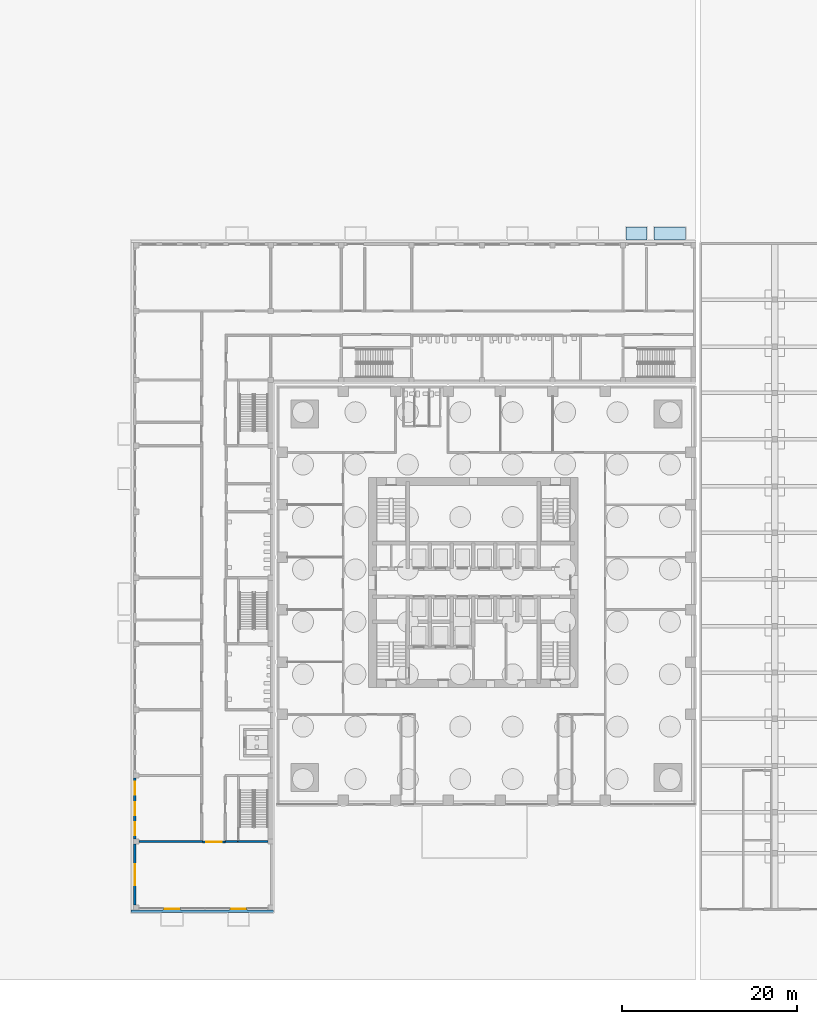
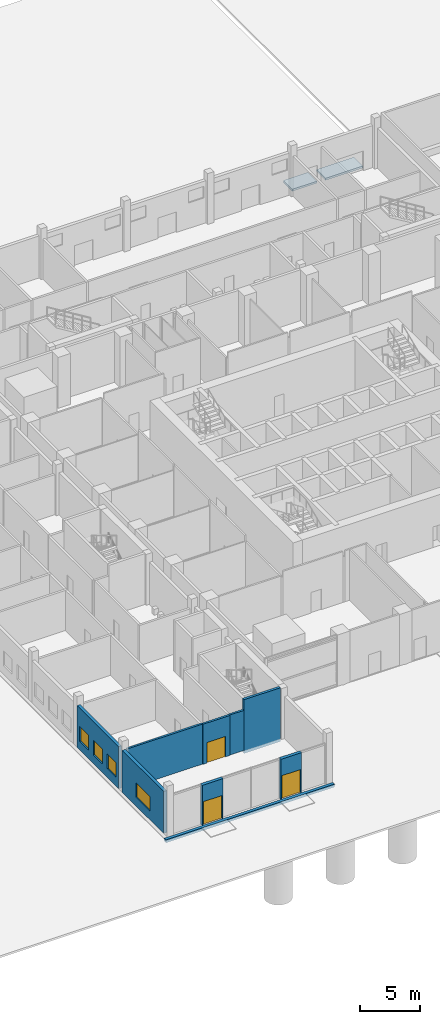
# One storey, part 9 of 33: 9 walls, 4 windows, 3 doors, 2 slabs, 7 openings.
"""IFC4 building model written with IfcOpenShell, lengths in metres."""

from ifc_helpers import new_model, si_unit, direction, frame, frame_2d, origin, place, context, subcontext, project, spatial, polyline, rectangle, outline, extrude, material, layer, layer_set, type_object, element, fill, save


model = new_model("IFC4")

# Units and contexts
model_context = context("Model", 3, precision=1e-05, world=origin(), true_north=direction((0.0, 1.0)))
body_context = subcontext(model_context, "Body", "Model", "MODEL_VIEW")
ifc_project = project(units=[si_unit("LENGTHUNIT", "METRE"), si_unit("AREAUNIT", "SQUARE_METRE"), si_unit("VOLUMEUNIT", "CUBIC_METRE"), si_unit("PLANEANGLEUNIT", "RADIAN"), si_unit("MASSUNIT", "GRAM", prefix="KILO")], contexts=[model_context])

# Site, building, storey
site_placement = place(None, origin())
site = spatial("IfcSite", under=ifc_project, at=site_placement, CompositionType="ELEMENT")
building_placement = place(site_placement, origin())
building = spatial("IfcBuilding", under=site, at=building_placement, Name="Amberfall Residences", CompositionType="ELEMENT")
storey_placement = place(building_placement, origin())
storey = spatial("IfcBuildingStorey", under=building, at=storey_placement, Name="L00", CompositionType="ELEMENT", Elevation=0.0)

# Slabs
ifc_material_1 = material(Name="Concrete C30", Category="concrete")
ifc_layer_1 = layer(ifc_material_1, 0.199951171875)
ifc_layer_set_1 = layer_set([ifc_layer_1], Name="School door landing 200")
slab_type = type_object("IfcSlabType", Name="School door landing 200", PredefinedType="BASESLAB", material=ifc_layer_set_1)
slab_1_placement = place(storey_placement, frame((0.0, 0.0, -0.199951171875)))
element("IfcSlab", 1, at=slab_1_placement, inside=storey, type_object=slab_type, Name="School door landing", PredefinedType="BASESLAB", context=body_context, shape_type="SweptSolid", body=[
    extrude(outline(polyline([(91.98291015625, 84.699951171875), (94.383056640625, 84.699951171875), (94.383056640625, 86.199951171875), (91.98291015625, 86.199951171875), (91.98291015625, 84.699951171875)])), origin(), (0.0, 0.0, 1.0), 0.199951171875),
])
slab_2_placement = place(storey_placement, frame((0.0, 0.0, -0.199951171875)))
element("IfcSlab", 2, at=slab_2_placement, inside=storey, type_object=slab_type, Name="School door landing", PredefinedType="BASESLAB", context=body_context, shape_type="SweptSolid", body=[
    extrude(outline(polyline([(95.199951171875, 84.699951171875), (98.800048828125, 84.699951171875), (98.800048828125, 86.199951171875), (95.199951171875, 86.199951171875), (95.199951171875, 84.699951171875)])), origin(), (0.0, 0.0, 1.0), 0.199951171875),
])

# Wall, opening, window
ifc_material_2 = material(Name="Aerated block wall")
ifc_layer_2 = layer(ifc_material_2, 0.300048828125)
ifc_layer_set_2 = layer_set([ifc_layer_2], Name="School external wall 300")
wall_type_1 = type_object("IfcWallType", Name="School external wall 300", PredefinedType="SOLIDWALL", material=ifc_layer_set_2)
wall_1_placement = place(storey_placement, frame((35.75, 8.60009765625, 0.0), z_axis=(0.0, 0.0, 1.0), x_axis=(0.0, 1.0, 0.0)))
wall_1 = element("IfcWall", 3, at=wall_1_placement, inside=storey, type_object=wall_type_1, Name="School external wall L00 EW0", PredefinedType="SOLIDWALL", context=body_context, shape_type="SweptSolid", body=[
    extrude(rectangle(XDim=6.949951171875, YDim=0.300048828125, at=frame_2d((3.47509765625, 0.0))), origin(), (0.0, 0.0, 1.0), 4.300048828125),
])
opening_1_placement = place(wall_1_placement, frame((2.27490234375, 0.0, 0.89990234375)))
opening_1 = element("IfcOpeningElement", 4, at=opening_1_placement, cuts=wall_1, Name="Opening SWN2", PredefinedType="OPENING", context=body_context, shape_type="SweptSolid", body=[
    extrude(rectangle(XDim=2.39990234375, YDim=1.5, at=frame_2d((1.199951171875, 0.75))), frame((0.0, 0.159912109375, 0.0), z_axis=(0.0, -1.0, 0.0), x_axis=(1.0, 0.0, 0.0)), (0.0, 0.0, 1.0), 0.320068359375),
])
ifc_material_3 = material(Name="Aluminium window", Category="aluminium")
window_type_1 = type_object("IfcWindowType", Name="School window 2400 x 1500", PartitioningType="TRIPLE_PANEL_VERTICAL", PredefinedType="WINDOW", material=ifc_material_3)
window_1_placement = place(opening_1_placement, origin())
window_1 = element("IfcWindow", 5, at=window_1_placement, inside=storey, type_object=window_type_1, Name="School window L00 EW0-1", OverallHeight=1.5, OverallWidth=2.39990234375, PartitioningType="TRIPLE_PANEL_VERTICAL", PredefinedType="WINDOW", context=body_context, shape_type="SweptSolid", body=[
    extrude(rectangle(XDim=2.39990234375, YDim=1.5, at=frame_2d((1.199951171875, 0.75))), frame((0.0, 0.030029296875, 0.0), z_axis=(0.0, -1.0, 0.0), x_axis=(1.0, 0.0, 0.0)), (0.0, 0.0, 1.0), 0.06005859375),
])
fill(opening_1, window_1)

# Wall, openings, windows
wall_2_placement = place(storey_placement, frame((35.75, 16.14990234375, 0.0), z_axis=(0.0, 0.0, 1.0), x_axis=(0.0, 1.0, 0.0)))
wall_2 = element("IfcWall", 6, at=wall_2_placement, inside=storey, type_object=wall_type_1, Name="School external wall L00 EW1", PredefinedType="SOLIDWALL", context=body_context, shape_type="SweptSolid", body=[
    extrude(rectangle(XDim=6.9501953125, YDim=0.300048828125, at=frame_2d((3.47509765625, 0.0))), origin(), (0.0, 0.0, 1.0), 4.300048828125),
])
opening_2_placement = place(wall_2_placement, frame((0.408203125, 0.0, 0.89990234375)))
opening_2 = element("IfcOpeningElement", 7, at=opening_2_placement, cuts=wall_2, Name="Opening SWN1", PredefinedType="OPENING", context=body_context, shape_type="SweptSolid", body=[
    extrude(rectangle(XDim=1.5, YDim=1.5, at=frame_2d((0.75, 0.75))), frame((0.0, 0.159912109375, 0.0), z_axis=(0.0, -1.0, 0.0), x_axis=(1.0, 0.0, 0.0)), (0.0, 0.0, 1.0), 0.320068359375),
])
opening_3_placement = place(wall_2_placement, frame((2.72509765625, 0.0, 0.89990234375)))
opening_3 = element("IfcOpeningElement", 8, at=opening_3_placement, cuts=wall_2, Name="Opening SWN1", PredefinedType="OPENING", context=body_context, shape_type="SweptSolid", body=[
    extrude(rectangle(XDim=1.5, YDim=1.5, at=frame_2d((0.75, 0.75))), frame((0.0, 0.159912109375, 0.0), z_axis=(0.0, -1.0, 0.0), x_axis=(1.0, 0.0, 0.0)), (0.0, 0.0, 1.0), 0.320068359375),
])
opening_4_placement = place(wall_2_placement, frame((5.041748046875, 0.0, 0.89990234375)))
opening_4 = element("IfcOpeningElement", 9, at=opening_4_placement, cuts=wall_2, Name="Opening SWN1", PredefinedType="OPENING", context=body_context, shape_type="SweptSolid", body=[
    extrude(rectangle(XDim=1.5, YDim=1.5, at=frame_2d((0.75, 0.75))), frame((0.0, 0.159912109375, 0.0), z_axis=(0.0, -1.0, 0.0), x_axis=(1.0, 0.0, 0.0)), (0.0, 0.0, 1.0), 0.320068359375),
])
window_type_2 = type_object("IfcWindowType", Name="School window 1500 x 1500", PartitioningType="DOUBLE_PANEL_HORIZONTAL", PredefinedType="WINDOW", material=ifc_material_3)
window_2_placement = place(opening_2_placement, origin())
window_2 = element("IfcWindow", 10, at=window_2_placement, inside=storey, type_object=window_type_2, Name="School window L00 EW1-1", OverallHeight=1.5, OverallWidth=1.5, PartitioningType="DOUBLE_PANEL_HORIZONTAL", PredefinedType="WINDOW", context=body_context, shape_type="SweptSolid", body=[
    extrude(rectangle(XDim=1.5, YDim=1.5, at=frame_2d((0.75, 0.75))), frame((0.0, 0.030029296875, 0.0), z_axis=(0.0, -1.0, 0.0), x_axis=(1.0, 0.0, 0.0)), (0.0, 0.0, 1.0), 0.06005859375),
])
fill(opening_2, window_2)
window_3_placement = place(opening_3_placement, origin())
window_3 = element("IfcWindow", 11, at=window_3_placement, inside=storey, type_object=window_type_2, Name="School window L00 EW1-2", OverallHeight=1.5, OverallWidth=1.5, PartitioningType="DOUBLE_PANEL_HORIZONTAL", PredefinedType="WINDOW", context=body_context, shape_type="SweptSolid", body=[
    extrude(rectangle(XDim=1.5, YDim=1.5, at=frame_2d((0.75, 0.75))), frame((0.0, 0.030029296875, 0.0), z_axis=(0.0, -1.0, 0.0), x_axis=(1.0, 0.0, 0.0)), (0.0, 0.0, 1.0), 0.06005859375),
])
fill(opening_3, window_3)
window_4_placement = place(opening_4_placement, origin())
window_4 = element("IfcWindow", 12, at=window_4_placement, inside=storey, type_object=window_type_2, Name="School window L00 EW1-3", OverallHeight=1.5, OverallWidth=1.5, PartitioningType="DOUBLE_PANEL_HORIZONTAL", PredefinedType="WINDOW", context=body_context, shape_type="SweptSolid", body=[
    extrude(rectangle(XDim=1.5, YDim=1.5, at=frame_2d((0.75, 0.75))), frame((0.0, 0.030029296875, 0.0), z_axis=(0.0, -1.0, 0.0), x_axis=(1.0, 0.0, 0.0)), (0.0, 0.0, 1.0), 0.06005859375),
])
fill(opening_4, window_4)

# Wall, opening, door
wall_3_placement = place(storey_placement, frame((39.0, 8.14990234375, 0.0), z_axis=(0.0, 0.0, 1.0), x_axis=(1.0, 0.0, 0.0)))
wall_3 = element("IfcWall", 13, at=wall_3_placement, inside=storey, type_object=wall_type_1, Name="School entrance frame wall 1", PredefinedType="SOLIDWALL", context=body_context, shape_type="SweptSolid", body=[
    extrude(rectangle(XDim=2.0, YDim=0.300048828125, at=frame_2d((1.0, 0.0))), origin(), (0.0, 0.0, 1.0), 4.10009765625),
])
opening_5_placement = place(wall_3_placement, frame((0.10009765625, 0.0, 0.0)))
opening_5 = element("IfcOpeningElement", 14, at=opening_5_placement, cuts=wall_3, Name="Opening SD7", PredefinedType="OPENING", context=body_context, shape_type="SweptSolid", body=[
    extrude(rectangle(XDim=1.800048828125, YDim=2.39990234375, at=frame_2d((0.89990234375, 1.199951171875))), frame((0.0, 0.159912109375, 0.0), z_axis=(0.0, -1.0, 0.0), x_axis=(1.0, 0.0, 0.0)), (0.0, 0.0, 1.0), 0.320068359375),
])
ifc_material_4 = material(Name="Aluminium glazed door", Category="aluminium")
door_type_1 = type_object("IfcDoorType", Name="School entrance double door 1800 x 2400", OperationType="DOUBLE_DOOR_SINGLE_SWING", PredefinedType="DOOR", material=ifc_material_4)
door_1_placement = place(opening_5_placement, origin())
door_1 = element("IfcDoor", 15, at=door_1_placement, inside=storey, type_object=door_type_1, Name="School entrance door 1", OperationType="DOUBLE_DOOR_SINGLE_SWING", OverallHeight=2.39990234375, OverallWidth=1.800048828125, PredefinedType="DOOR", context=body_context, shape_type="SweptSolid", body=[
    extrude(rectangle(XDim=1.800048828125, YDim=2.39990234375, at=frame_2d((0.89990234375, 1.199951171875))), frame((0.0, 0.02490234375, 0.0), z_axis=(0.0, -1.0, 0.0), x_axis=(1.0, 0.0, 0.0)), (0.0, 0.0, 1.0), 0.050048828125),
])
fill(opening_5, door_1)

wall_4_placement = place(storey_placement, frame((46.60009765625, 8.14990234375, 0.0), z_axis=(0.0, 0.0, 1.0), x_axis=(1.0, 0.0, 0.0)))
wall_4 = element("IfcWall", 16, at=wall_4_placement, inside=storey, type_object=wall_type_1, Name="School entrance frame wall 2", PredefinedType="SOLIDWALL", context=body_context, shape_type="SweptSolid", body=[
    extrude(rectangle(XDim=2.0, YDim=0.300048828125, at=frame_2d((1.0, 0.0))), origin(), (0.0, 0.0, 1.0), 4.10009765625),
])
opening_6_placement = place(wall_4_placement, frame((0.10009765625, 0.0, 0.0)))
opening_6 = element("IfcOpeningElement", 17, at=opening_6_placement, cuts=wall_4, Name="Opening SD7", PredefinedType="OPENING", context=body_context, shape_type="SweptSolid", body=[
    extrude(rectangle(XDim=1.800048828125, YDim=2.39990234375, at=frame_2d((0.89990234375, 1.199951171875))), frame((0.0, 0.159912109375, 0.0), z_axis=(0.0, -1.0, 0.0), x_axis=(1.0, 0.0, 0.0)), (0.0, 0.0, 1.0), 0.320068359375),
])
door_2_placement = place(opening_6_placement, origin())
door_2 = element("IfcDoor", 18, at=door_2_placement, inside=storey, type_object=door_type_1, Name="School entrance door 2", OperationType="DOUBLE_DOOR_SINGLE_SWING", OverallHeight=2.39990234375, OverallWidth=1.800048828125, PredefinedType="DOOR", context=body_context, shape_type="SweptSolid", body=[
    extrude(rectangle(XDim=1.800048828125, YDim=2.39990234375, at=frame_2d((0.89990234375, 1.199951171875))), frame((0.0, 0.02490234375, 0.0), z_axis=(0.0, -1.0, 0.0), x_axis=(1.0, 0.0, 0.0)), (0.0, 0.0, 1.0), 0.050048828125),
])
fill(opening_6, door_2)

# Walls
ifc_layer_3 = layer(ifc_material_2, 0.199951171875)
ifc_layer_set_3 = layer_set([ifc_layer_3], Name="School partition 200")
wall_type_2 = type_object("IfcWallType", Name="School partition 200", PredefinedType="PARTITIONING", material=ifc_layer_set_3)
wall_5_placement = place(storey_placement, frame((36.199951171875, 15.85009765625, 0.0), z_axis=(0.0, 0.0, 1.0), x_axis=(1.0, 0.0, 0.0)))
element("IfcWall", 19, at=wall_5_placement, inside=storey, type_object=wall_type_2, Name="School partition L00 PW1585", PredefinedType="PARTITIONING", context=body_context, shape_type="SweptSolid", body=[
    extrude(rectangle(XDim=7.300048828125, YDim=0.199951171875, at=frame_2d((3.64990234375, 0.0))), origin(), (0.0, 0.0, 1.0), 4.10009765625),
])
wall_6_placement = place(storey_placement, frame((46.10009765625, 15.85009765625, 0.0), z_axis=(0.0, 0.0, 1.0), x_axis=(1.0, 0.0, 0.0)))
element("IfcWall", 20, at=wall_6_placement, inside=storey, type_object=wall_type_2, Name="School partition L00 PEA1", PredefinedType="PARTITIONING", context=body_context, shape_type="SweptSolid", body=[
    extrude(rectangle(XDim=1.39990234375, YDim=0.199951171875, at=frame_2d((0.699951171875, 0.0))), origin(), (0.0, 0.0, 1.0), 4.10009765625),
])

# Wall, opening, door
wall_7_placement = place(storey_placement, frame((43.5, 15.800048828125, 0.0), z_axis=(0.0, 0.0, 1.0), x_axis=(1.0, 0.0, 0.0)))
wall_7 = element("IfcWall", 21, at=wall_7_placement, inside=storey, type_object=wall_type_2, Name="School partition L00 CWH", PredefinedType="PARTITIONING", context=body_context, shape_type="SweptSolid", body=[
    extrude(rectangle(XDim=2.60009765625, YDim=0.199951171875, at=frame_2d((1.300048828125, 0.0))), origin(), (0.0, 0.0, 1.0), 4.10009765625),
])
opening_7_placement = place(wall_7_placement, frame((0.39990234375, 0.0, 0.0)))
opening_7 = element("IfcOpeningElement", 22, at=opening_7_placement, cuts=wall_7, Name="Opening SD9", PredefinedType="OPENING", context=body_context, shape_type="SweptSolid", body=[
    extrude(rectangle(XDim=1.800048828125, YDim=2.10009765625, at=frame_2d((0.89990234375, 1.050048828125))), frame((0.0, 0.10986328125, 0.0), z_axis=(0.0, -1.0, 0.0), x_axis=(1.0, 0.0, 0.0)), (0.0, 0.0, 1.0), 0.219970703125),
])
ifc_material_5 = material(Name="Timber fire door", Category="wood")
door_type_2 = type_object("IfcDoorType", Name="School fire double door 1800 x 2100", OperationType="DOUBLE_DOOR_SINGLE_SWING", PredefinedType="DOOR", material=ifc_material_5)
door_3_placement = place(opening_7_placement, origin())
door_3 = element("IfcDoor", 23, at=door_3_placement, inside=storey, type_object=door_type_2, Name="School door L00 CWH-1", OperationType="DOUBLE_DOOR_SINGLE_SWING", OverallHeight=2.10009765625, OverallWidth=1.800048828125, PredefinedType="DOOR", context=body_context, shape_type="SweptSolid", body=[
    extrude(rectangle(XDim=1.800048828125, YDim=2.10009765625, at=frame_2d((0.89990234375, 1.050048828125))), frame((0.0, 0.02490234375, 0.0), z_axis=(0.0, -1.0, 0.0), x_axis=(1.0, 0.0, 0.0)), (0.0, 0.0, 1.0), 0.050048828125),
])
fill(opening_7, door_3)

# Walls
ifc_material_6 = material(Name="Concrete C40", Category="concrete")
ifc_layer_4 = layer(ifc_material_6, 0.300048828125)
ifc_layer_set_4 = layer_set([ifc_layer_4], Name="School plinth wall 300")
wall_type_3 = type_object("IfcWallType", Name="School plinth wall 300", PredefinedType="SOLIDWALL", material=ifc_layer_set_4)
wall_8_placement = place(storey_placement, frame((35.300048828125, 7.85009765625, -0.300048828125), z_axis=(0.0, 0.0, 1.0), x_axis=(1.0, 0.0, 0.0)))
element("IfcWall", 24, at=wall_8_placement, inside=storey, type_object=wall_type_3, Name="School plinth wall", PredefinedType="SOLIDWALL", context=body_context, shape_type="SweptSolid", body=[
    extrude(rectangle(XDim=16.300048828125, YDim=0.300048828125, at=frame_2d((8.14990234375, 0.0))), origin(), (0.0, 0.0, 1.0), 0.300048828125),
])
ifc_material_7 = material(Name="Concrete C50", Category="concrete")
ifc_layer_5 = layer(ifc_material_7, 0.25)
ifc_layer_set_5 = layer_set([ifc_layer_5], Name="School stair core wall 250 C50")
wall_type_4 = type_object("IfcWallType", Name="School stair core wall 250 C50", PredefinedType="SHEAR", material=ifc_layer_set_5)
wall_9_placement = place(storey_placement, frame((47.5, 15.85009765625, -0.300048828125), z_axis=(0.0, 0.0, 1.0), x_axis=(1.0, 0.0, 0.0)))
element("IfcWall", 25, at=wall_9_placement, inside=storey, type_object=wall_type_4, Name="School core wall L00 SS1S", PredefinedType="SHEAR", context=body_context, shape_type="SweptSolid", body=[
    extrude(rectangle(XDim=3.5, YDim=0.25, at=frame_2d((1.75, 0.0))), origin(), (0.0, 0.0, 1.0), 5.5),
])

save(model, "model.ifc")
